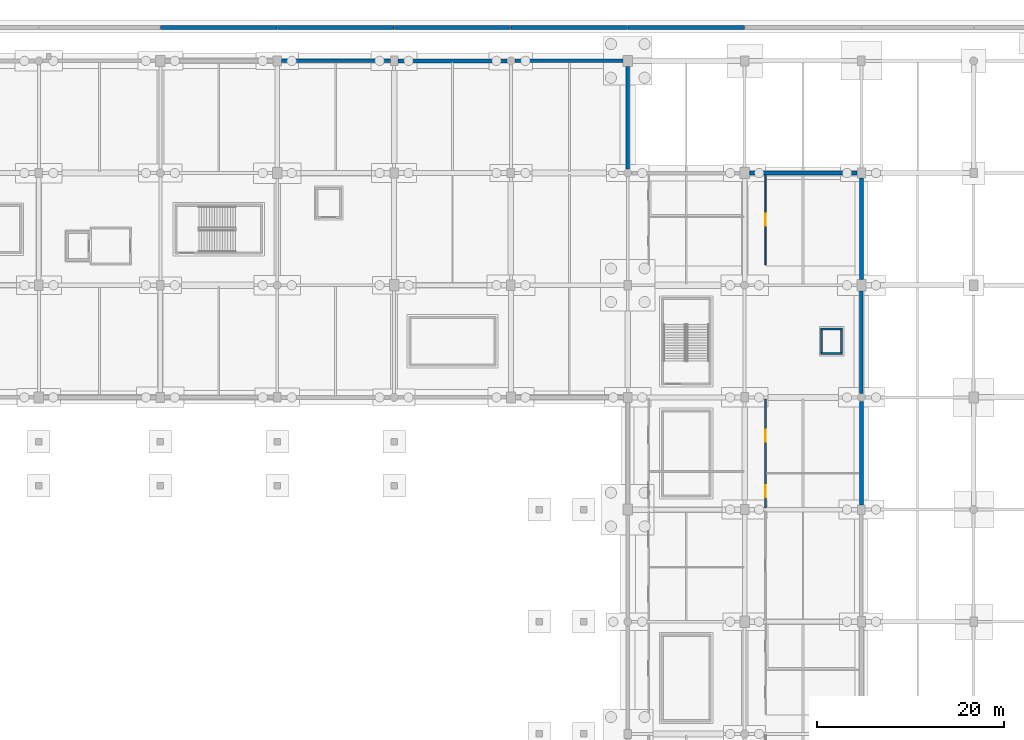
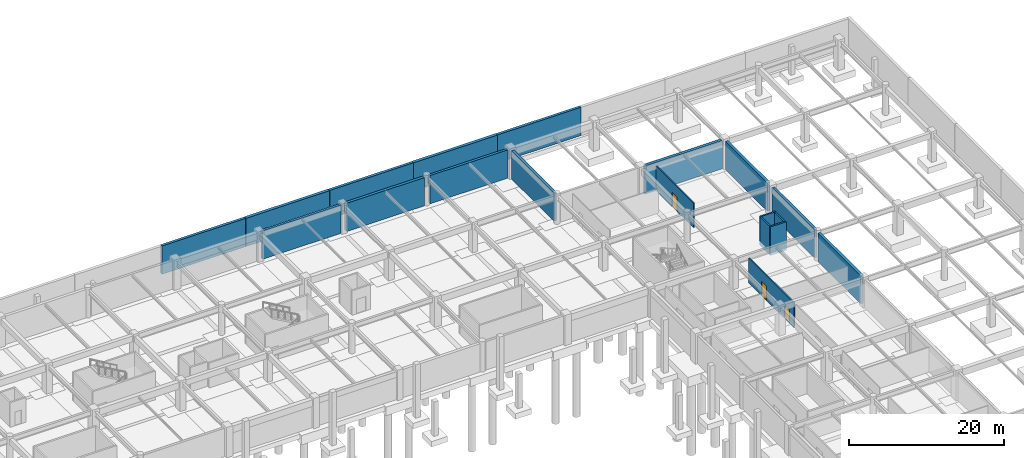
# One storey, part 39 of 56: 19 walls, 3 doors, 3 openings.
"""IFC4 building model written with IfcOpenShell, lengths in metres."""

from ifc_helpers import new_model, si_unit, direction, frame, frame_2d, origin, place, context, subcontext, project, spatial, rectangle, extrude, material, layer, layer_set, type_object, element, fill, save


model = new_model("IFC4")

# Units and contexts
model_context = context("Model", 3, precision=1e-05, world=origin(), true_north=direction((0.0, 1.0)))
body_context = subcontext(model_context, "Body", "Model", "MODEL_VIEW")
ifc_project = project(units=[si_unit("LENGTHUNIT", "METRE"), si_unit("AREAUNIT", "SQUARE_METRE"), si_unit("VOLUMEUNIT", "CUBIC_METRE"), si_unit("PLANEANGLEUNIT", "RADIAN"), si_unit("MASSUNIT", "GRAM", prefix="KILO")], contexts=[model_context])

# Site, building, storey
site_placement = place(None, origin())
site = spatial("IfcSite", under=ifc_project, at=site_placement, CompositionType="ELEMENT")
building_placement = place(site_placement, origin())
building = spatial("IfcBuilding", under=site, at=building_placement, Name="Kazenohara Klinker Stadium", CompositionType="ELEMENT")
storey_placement = place(building_placement, frame((0.0, 0.0, -4.800048828125)))
storey = spatial("IfcBuildingStorey", under=building, at=storey_placement, Name="B01", CompositionType="ELEMENT", Elevation=-4.800048828125)

# Walls
ifc_material_1 = material(Name="Concrete C40/50", Category="concrete")
ifc_layer_1 = layer(ifc_material_1, 0.39990234375)
ifc_layer_set_1 = layer_set([ifc_layer_1], Name="Concrete C40/50")
wall_type_1 = type_object("IfcWallType", Name="WAL-B01-PLINTH400", PredefinedType="USERDEFINED", material=ifc_layer_set_1)
for number, where, z_axis, x_axis, name in (
    (1, (125.02001953125, 171.580078125, 0.0), (0.0, 0.0, 1.0), (1.0, 0.0, 0.0), "Street plinth retaining wall RW04 North-11"),
    (2, (150.02001953125, 171.580078125, 0.0), (0.0, 0.0, 1.0), (1.0, 0.0, 0.0), "Street plinth retaining wall RW04 North-13"),
    (3, (175.02001953125, 171.580078125, 0.0), (0.0, 0.0, 1.0), (1.0, 0.0, 0.0), "Street plinth retaining wall RW04 North-15"),
):
    element("IfcWall", number, at=place(storey_placement, frame(where, z_axis=z_axis, x_axis=x_axis)), inside=storey, type_object=wall_type_1, Name=name, ObjectType="RETAINING WALL", PredefinedType="USERDEFINED", context=body_context, shape_type="SweptSolid", body=[
        extrude(rectangle(XDim=12.4599609375, YDim=0.39990234375, at=frame_2d((6.22998046875, 0.0))), origin(), (0.0, 0.0, 1.0), 4.4599609375),
    ])
ifc_layer_2 = layer(ifc_material_1, 0.43994140625)
ifc_layer_set_2 = layer_set([ifc_layer_2], Name="Concrete C40/50")
wall_type_2 = type_object("IfcWallType", Name="WAL-B01-PLINTH440", PredefinedType="USERDEFINED", material=ifc_layer_set_2)
for number, where, z_axis, x_axis, name in (
    (4, (137.52001953125, 171.580078125, 0.0), (0.0, 0.0, 1.0), (1.0, 0.0, 0.0), "Street plinth retaining wall RW03 North-12"),
    (5, (162.52001953125, 171.580078125, 0.0), (0.0, 0.0, 1.0), (1.0, 0.0, 0.0), "Street plinth retaining wall RW03 North-14"),
):
    element("IfcWall", number, at=place(storey_placement, frame(where, z_axis=z_axis, x_axis=x_axis)), inside=storey, type_object=wall_type_2, Name=name, ObjectType="RETAINING WALL", PredefinedType="USERDEFINED", context=body_context, shape_type="SweptSolid", body=[
        extrude(rectangle(XDim=12.4599609375, YDim=0.43994140625, at=frame_2d((6.22998046875, 0.0))), origin(), (0.0, 0.0, 1.0), 4.4599609375),
    ])
ifc_layer_3 = layer(ifc_material_1, 0.3798828125)
ifc_layer_set_3 = layer_set([ifc_layer_3], Name="Concrete C40/50")
wall_type_3 = type_object("IfcWallType", Name="WAL-B01-RET380", PredefinedType="STANDARD", material=ifc_layer_set_3)
wall_1_placement = place(storey_placement, frame((137.9541015625, 168.0, 0.0), z_axis=(0.0, 0.0, 1.0), x_axis=(1.0, 0.0, 0.0)))
element("IfcWall", 6, at=wall_1_placement, inside=storey, type_object=wall_type_3, Name="Basement perimeter retaining wall RW02 X-11-14", PredefinedType="STANDARD", context=body_context, shape_type="SweptSolid", body=[
    extrude(rectangle(XDim=11.641845703125, YDim=0.3798828125, at=frame_2d((5.82080078125, 0.0))), origin(), (0.0, 0.0, 1.0), 4.4599609375),
])
wall_2_placement = place(storey_placement, frame((162.928955078125, 168.0, 0.0), z_axis=(0.0, 0.0, 1.0), x_axis=(1.0, 0.0, 0.0)))
element("IfcWall", 7, at=wall_2_placement, inside=storey, type_object=wall_type_3, Name="Basement perimeter retaining wall RW02 X-13-14", PredefinedType="STANDARD", context=body_context, shape_type="SweptSolid", body=[
    extrude(rectangle(XDim=11.567138671875, YDim=0.3798828125, at=frame_2d((5.78369140625, 0.0))), origin(), (0.0, 0.0, 1.0), 4.4599609375),
])
for number, where, z_axis, x_axis, name in (
    (8, (175.0, 156.428955078125, 0.0), (0.0, 0.0, 1.0), (0.0, 1.0, 0.0), "Basement perimeter retaining wall RW02 Y-14-13"),
    (9, (200.0, 132.428955078125, 0.0), (0.0, 0.0, 1.0), (0.0, 1.0, 0.0), "Basement perimeter retaining wall RW02 Y-16-11"),
):
    element("IfcWall", number, at=place(storey_placement, frame(where, z_axis=z_axis, x_axis=x_axis)), inside=storey, type_object=wall_type_3, Name=name, PredefinedType="STANDARD", context=body_context, shape_type="SweptSolid", body=[
        extrude(rectangle(XDim=10.967041015625, YDim=0.3798828125, at=frame_2d((5.4833984375, 0.0))), origin(), (0.0, 0.0, 1.0), 4.4599609375),
    ])
ifc_layer_4 = layer(ifc_material_1, 0.419921875)
ifc_layer_set_4 = layer_set([ifc_layer_4], Name="Concrete C40/50")
wall_type_4 = type_object("IfcWallType", Name="WAL-B01-RET420", PredefinedType="STANDARD", material=ifc_layer_set_4)
wall_3_placement = place(storey_placement, frame((150.404052734375, 168.0, 0.0), z_axis=(0.0, 0.0, 1.0), x_axis=(1.0, 0.0, 0.0)))
element("IfcWall", 10, at=wall_3_placement, inside=storey, type_object=wall_type_4, Name="Basement perimeter retaining wall RW01 X-12-14", PredefinedType="STANDARD", context=body_context, shape_type="SweptSolid", body=[
    extrude(rectangle(XDim=11.6669921875, YDim=0.419921875, at=frame_2d((5.83349609375, 0.0))), origin(), (0.0, 0.0, 1.0), 4.4599609375),
])
wall_4_placement = place(storey_placement, frame((200.0, 120.50390625, 0.0), z_axis=(0.0, 0.0, 1.0), x_axis=(0.0, 1.0, 0.0)))
element("IfcWall", 11, at=wall_4_placement, inside=storey, type_object=wall_type_4, Name="Basement perimeter retaining wall RW01 Y-16-10", PredefinedType="STANDARD", context=body_context, shape_type="SweptSolid", body=[
    extrude(rectangle(XDim=11.067138671875, YDim=0.419921875, at=frame_2d((5.53369140625, 0.0))), origin(), (0.0, 0.0, 1.0), 4.4599609375),
])
wall_5_placement = place(storey_placement, frame((188.00390625, 156.0, 0.0), z_axis=(0.0, 0.0, 1.0), x_axis=(1.0, 0.0, 0.0)))
element("IfcWall", 12, at=wall_5_placement, inside=storey, type_object=wall_type_4, Name="Basement perimeter retaining wall RW01 X-15-13", PredefinedType="STANDARD", context=body_context, shape_type="SweptSolid", body=[
    extrude(rectangle(XDim=11.5419921875, YDim=0.419921875, at=frame_2d((5.77099609375, 0.0))), origin(), (0.0, 0.0, 1.0), 4.4599609375),
])
wall_6_placement = place(storey_placement, frame((200.0, 144.60400390625, 0.0), z_axis=(0.0, 0.0, 1.0), x_axis=(0.0, 1.0, 0.0)))
element("IfcWall", 13, at=wall_6_placement, inside=storey, type_object=wall_type_4, Name="Basement perimeter retaining wall RW01 Y-16-12", PredefinedType="STANDARD", context=body_context, shape_type="SweptSolid", body=[
    extrude(rectangle(XDim=10.842041015625, YDim=0.419921875, at=frame_2d((5.4208984375, 0.0))), origin(), (0.0, 0.0, 1.0), 4.4599609375),
])
ifc_layer_5 = layer(ifc_material_1, 0.22998046875)
ifc_layer_set_5 = layer_set([ifc_layer_5], Name="Concrete C40/50")
wall_type_5 = type_object("IfcWallType", Name="WAL-CORE-230", PredefinedType="SHEAR", material=ifc_layer_set_5)
for number, where, z_axis, x_axis, name in (
    (14, (195.6201171875, 136.68505859375, -0.64990234375), (0.0, 0.0, 1.0), (1.0, 0.0, 0.0), "Elevator shaft wall LP05 B01 South"),
    (15, (195.6201171875, 139.31494140625, -0.64990234375), (0.0, 0.0, 1.0), (1.0, 0.0, 0.0), "Elevator shaft wall LP05 B01 North"),
):
    element("IfcWall", number, at=place(storey_placement, frame(where, z_axis=z_axis, x_axis=x_axis)), inside=storey, type_object=wall_type_5, Name=name, PredefinedType="SHEAR", context=body_context, shape_type="SweptSolid", body=[
        extrude(rectangle(XDim=2.35986328125, YDim=0.22998046875, at=frame_2d((1.179931640625, 0.0))), origin(), (0.0, 0.0, 1.0), 4.5),
    ])
for number, where, z_axis, x_axis, name in (
    (16, (195.735107421875, 136.800048828125, -0.64990234375), (0.0, 0.0, 1.0), (0.0, 1.0, 0.0), "Elevator shaft wall LP05 B01 West"),
    (17, (197.864990234375, 136.800048828125, -0.64990234375), (0.0, 0.0, 1.0), (0.0, 1.0, 0.0), "Elevator shaft wall LP05 B01 East"),
):
    element("IfcWall", number, at=place(storey_placement, frame(where, z_axis=z_axis, x_axis=x_axis)), inside=storey, type_object=wall_type_5, Name=name, PredefinedType="SHEAR", context=body_context, shape_type="SweptSolid", body=[
        extrude(rectangle(XDim=2.39990234375, YDim=0.22998046875, at=frame_2d((1.199951171875, 0.0))), origin(), (0.0, 0.0, 1.0), 4.5),
    ])

# Wall, opening, door
ifc_material_2 = material(Name="Fire-rated gypsum board on acoustic studs", Category="gypsum")
ifc_layer_6 = layer(ifc_material_2, 0.14990234375)
ifc_layer_set_6 = layer_set([ifc_layer_6], Name="Fire-rated gypsum board on acoustic studs")
wall_type_6 = type_object("IfcWallType", Name="WAL-INT-P150", PredefinedType="PARTITIONING", material=ifc_layer_set_6)
wall_7_placement = place(storey_placement, frame((189.739990234375, 146.169921875, 0.0), z_axis=(0.0, 0.0, 1.0), x_axis=(0.0, 1.0, 0.0)))
wall_7 = element("IfcWall", 18, at=wall_7_placement, inside=storey, type_object=wall_type_6, Name="Interior partition wall PT04 SPC-B01-15-12-1-1", PredefinedType="PARTITIONING", context=body_context, shape_type="SweptSolid", body=[
    extrude(rectangle(XDim=9.6181640625, YDim=0.14990234375, at=frame_2d((4.80908203125, 0.0))), origin(), (0.0, 0.0, 1.0), 3.920166015625),
])
opening_1_placement = place(wall_7_placement, frame((5.5, 0.0, 0.0), z_axis=(0.0, 0.0, 1.0), x_axis=(-1.0, 0.0, 0.0)))
opening_1 = element("IfcOpeningElement", 19, at=opening_1_placement, cuts=wall_7, Name="Opening ID16", PredefinedType="OPENING", context=body_context, shape_type="SweptSolid", body=[
    extrude(rectangle(XDim=1.330078125, YDim=2.219970703125, at=frame_2d((0.6650390625, 1.10986328125))), frame((0.0, 0.0849609375, 0.0), z_axis=(0.0, -1.0, 0.0), x_axis=(1.0, 0.0, 0.0)), (0.0, 0.0, 1.0), 0.169921875),
])
ifc_material_3 = material(Name="Solid-core Hokkaido oak fire door", Category="wood")
door_type_1 = type_object("IfcDoorType", Name="DR-INT-16", OperationType="NOTDEFINED", PredefinedType="DOOR", material=ifc_material_3)
door_1_placement = place(opening_1_placement, origin())
door_1 = element("IfcDoor", 20, at=door_1_placement, inside=storey, type_object=door_type_1, Name="Interior door ID16 Visiting-Club Athlete Changing Room B01-1512A", OperationType="SINGLE_SWING_LEFT", OverallHeight=2.219970703125, OverallWidth=1.330078125, PredefinedType="DOOR", context=body_context, shape_type="SweptSolid", body=[
    extrude(rectangle(XDim=1.330078125, YDim=2.219970703125, at=frame_2d((0.6650390625, 1.10986328125))), frame((0.0, 0.02490234375, 0.0), z_axis=(0.0, -1.0, 0.0), x_axis=(1.0, 0.0, 0.0)), (0.0, 0.0, 1.0), 0.050048828125),
])
fill(opening_1, door_1)

# Wall, openings, doors
ifc_layer_7 = layer(ifc_material_2, 0.18994140625)
ifc_layer_set_7 = layer_set([ifc_layer_7], Name="Fire-rated gypsum board on acoustic studs")
wall_type_7 = type_object("IfcWallType", Name="WAL-INT-P190", PredefinedType="PARTITIONING", material=ifc_layer_set_7)
wall_8_placement = place(storey_placement, frame((189.739990234375, 120.159912109375, 0.0), z_axis=(0.0, 0.0, 1.0), x_axis=(0.0, 1.0, 0.0)))
wall_8 = element("IfcWall", 21, at=wall_8_placement, inside=storey, type_object=wall_type_7, Name="Interior partition wall PT06 SPC-B01-15-10-1-1", PredefinedType="PARTITIONING", context=body_context, shape_type="SweptSolid", body=[
    extrude(rectangle(XDim=11.68017578125, YDim=0.18994140625, at=frame_2d((5.840087890625, 0.0))), origin(), (0.0, 0.0, 1.0), 3.920166015625),
])
opening_2_placement = place(wall_8_placement, frame((2.4521484375, 0.0, 0.0), z_axis=(0.0, 0.0, 1.0), x_axis=(-1.0, 0.0, 0.0)))
opening_2 = element("IfcOpeningElement", 22, at=opening_2_placement, cuts=wall_8, Name="Opening ID14", PredefinedType="OPENING", context=body_context, shape_type="SweptSolid", body=[
    extrude(rectangle(XDim=1.27001953125, YDim=2.199951171875, at=frame_2d((0.635009765625, 1.10009765625))), frame((0.0, 0.10498046875, 0.0), z_axis=(0.0, -1.0, 0.0), x_axis=(1.0, 0.0, 0.0)), (0.0, 0.0, 1.0), 0.2099609375),
])
opening_3_placement = place(wall_8_placement, frame((8.38720703125, 0.0, 0.0), z_axis=(0.0, 0.0, 1.0), x_axis=(-1.0, 0.0, 0.0)))
opening_3 = element("IfcOpeningElement", 23, at=opening_3_placement, cuts=wall_8, Name="Opening ID15", PredefinedType="OPENING", context=body_context, shape_type="SweptSolid", body=[
    extrude(rectangle(XDim=1.300048828125, YDim=2.239990234375, at=frame_2d((0.64990234375, 1.1201171875))), frame((0.0, 0.10498046875, 0.0), z_axis=(0.0, -1.0, 0.0), x_axis=(1.0, 0.0, 0.0)), (0.0, 0.0, 1.0), 0.2099609375),
])
door_type_2 = type_object("IfcDoorType", Name="DR-INT-14", OperationType="NOTDEFINED", PredefinedType="DOOR", material=ifc_material_3)
door_2_placement = place(opening_2_placement, origin())
door_2 = element("IfcDoor", 24, at=door_2_placement, inside=storey, type_object=door_type_2, Name="Interior door ID14 District Heating Substation Plant B01-1510A", OperationType="SINGLE_SWING_LEFT", OverallHeight=2.199951171875, OverallWidth=1.27001953125, PredefinedType="DOOR", context=body_context, shape_type="SweptSolid", body=[
    extrude(rectangle(XDim=1.27001953125, YDim=2.199951171875, at=frame_2d((0.635009765625, 1.10009765625))), frame((0.0, 0.02490234375, 0.0), z_axis=(0.0, -1.0, 0.0), x_axis=(1.0, 0.0, 0.0)), (0.0, 0.0, 1.0), 0.050048828125),
])
fill(opening_2, door_2)
door_type_3 = type_object("IfcDoorType", Name="DR-INT-15", OperationType="NOTDEFINED", PredefinedType="DOOR", material=ifc_material_3)
door_3_placement = place(opening_3_placement, origin())
door_3 = element("IfcDoor", 25, at=door_3_placement, inside=storey, type_object=door_type_3, Name="Interior door ID15 Doping Control Medical Laboratory B01-1510B", OperationType="SINGLE_SWING_RIGHT", OverallHeight=2.239990234375, OverallWidth=1.300048828125, PredefinedType="DOOR", context=body_context, shape_type="SweptSolid", body=[
    extrude(rectangle(XDim=1.300048828125, YDim=2.239990234375, at=frame_2d((0.64990234375, 1.1201171875))), frame((0.0, 0.02490234375, 0.0), z_axis=(0.0, -1.0, 0.0), x_axis=(1.0, 0.0, 0.0)), (0.0, 0.0, 1.0), 0.050048828125),
])
fill(opening_3, door_3)

save(model, "model.ifc")
